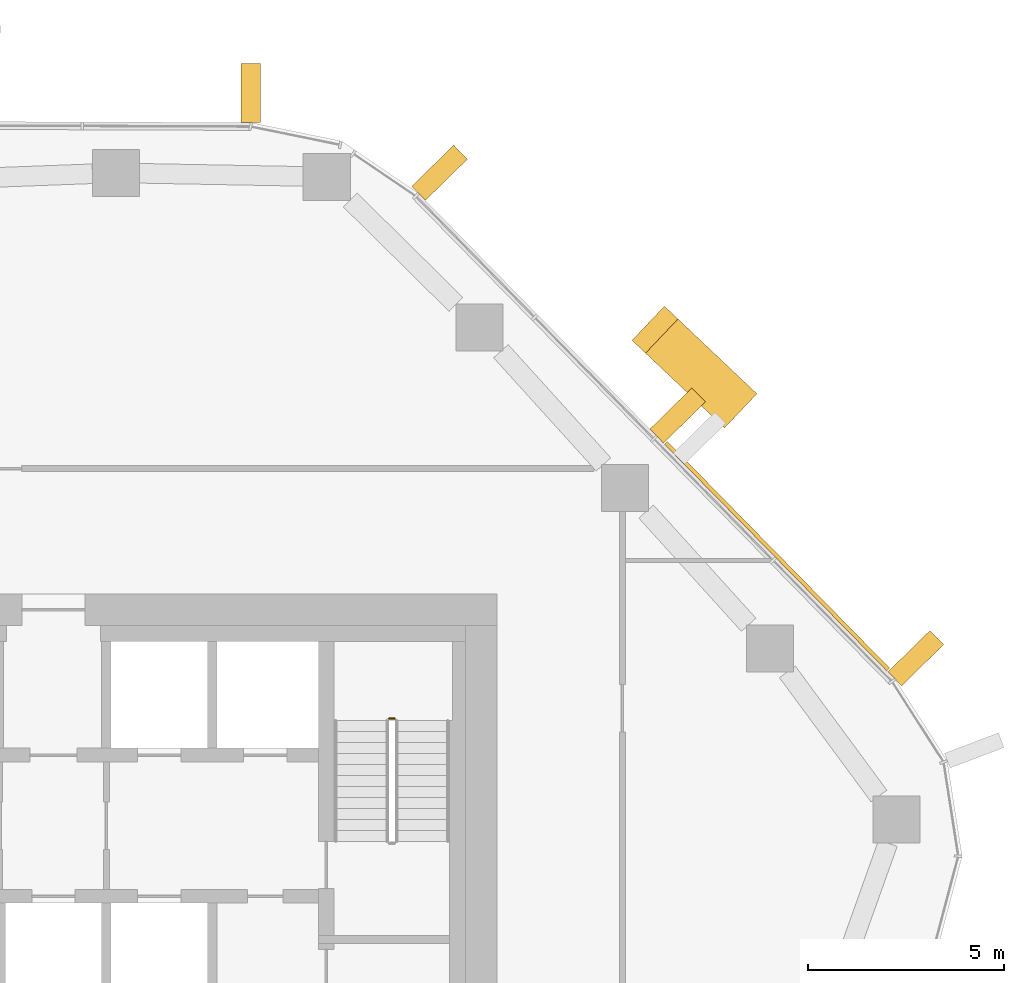
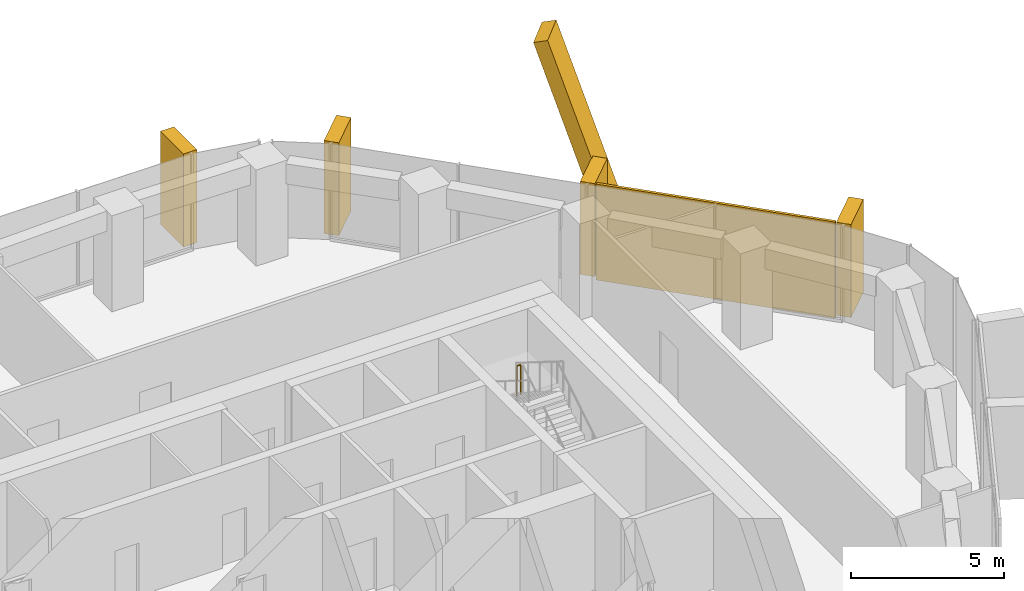
# One storey, part 19 of 19: 6 coverings, 1 railing, 2 elements without a shape of their own.
"""IFC4 building model written with IfcOpenShell, lengths in metres."""

from ifc_helpers import new_model, si_unit, direction, frame, origin, origin_2d, place, context, subcontext, project, spatial, rectangle, circle, extrude, material, layer, layer_set, material_profile, profile_set, type_object, element, aggregate, save


model = new_model("IFC4")

# Units and contexts
model_context = context("Model", 3, precision=1e-05, world=origin(), true_north=direction((0.0, 1.0)))
body_context = subcontext(model_context, "Body", "Model", "MODEL_VIEW")
ifc_project = project(units=[si_unit("LENGTHUNIT", "METRE"), si_unit("AREAUNIT", "SQUARE_METRE"), si_unit("VOLUMEUNIT", "CUBIC_METRE"), si_unit("PLANEANGLEUNIT", "RADIAN"), si_unit("MASSUNIT", "GRAM", prefix="KILO")], contexts=[model_context])

# Site, building, storey
site_placement = place(None, origin())
site = spatial("IfcSite", under=ifc_project, at=site_placement, CompositionType="ELEMENT")
building_placement = place(site_placement, origin())
building = spatial("IfcBuilding", under=site, at=building_placement, Name="Dongbaek Canopy Tower", CompositionType="ELEMENT")
storey_placement = place(building_placement, frame((0.0, 0.0, 207.199951171875)))
storey = spatial("IfcBuildingStorey", under=building, at=storey_placement, Name="L43", CompositionType="ELEMENT", Elevation=207.199951171875)

# Curtain wall, coverings
ifc_material_1 = material(Name="Aluminium 6063-T6 pale anodised", Category="aluminium")
ifc_layer_1 = layer(ifc_material_1, 0.199951171875)
ifc_layer_set_1 = layer_set([ifc_layer_1], Name="CW-1 unitised tower curtain wall")
curtain_wall_type = type_object("IfcCurtainWallType", Name="CW-1 unitised tower curtain wall", PredefinedType="NOTDEFINED", material=ifc_layer_set_1)
curtain_wall_1_placement = place(storey_placement, origin())
curtain_wall_1 = element("IfcCurtainWall", 1, at=curtain_wall_1_placement, inside=storey, type_object=curtain_wall_type, Name="CW-1 curtain wall F0.1", PredefinedType="NOTDEFINED")
ifc_material_2 = material(Name="Aluminium 6063-T6 pale metal fin", Category="aluminium")
ifc_material_profile_1 = material_profile(ifc_material_2, rectangle(XDim=1.199951171875, YDim=0.5, at=origin_2d()), Name="Crease fin CF1 500 x 1200 pale metal")
ifc_profile_set_1 = profile_set([ifc_material_profile_1], Name="Aluminium 6063-T6 pale metal fin")
covering_type_1 = type_object("IfcCoveringType", Name="Crease fin CF1 500 x 1200 pale metal", PredefinedType="CLADDING", material=ifc_profile_set_1)
covering_1_placement = place(storey_placement, frame((20.04248046875, 15.833984375, -0.18994140625), z_axis=(-0.227457353034, 0.215561452154, 0.949629618797), x_axis=(-0.687871672197, -0.725832324018, 0.0)))
covering_1 = element("IfcCovering", 2, at=covering_1_placement, type_object=covering_type_1, Name="Crease fin L43 L45 F0", PredefinedType="CLADDING", context=body_context, shape_type="SweptSolid", body=[
    extrude(rectangle(XDim=1.199951171875, YDim=0.5, at=origin_2d()), origin(), (0.0, 0.0, 1.0), 8.845458984375),
])
ifc_material_3 = material(Name="Perforated aluminium 6063-T6 pale metal screen", Category="aluminium")
ifc_layer_2 = layer(ifc_material_3, 0.10009765625)
ifc_layer_set_2 = layer_set([ifc_layer_2], Name="Facet screen FS1 100 pale metal")
covering_type_2 = type_object("IfcCoveringType", Name="Facet screen FS1 100 pale metal", PredefinedType="CLADDING", material=ifc_layer_set_2)
covering_2_placement = place(storey_placement, frame((21.140380859375, 11.968017578125, 0.0), z_axis=(0.0, 0.0, 1.0), x_axis=(-0.700367549606, 0.713782386627, 0.0)))
covering_2 = element("IfcCovering", 3, at=covering_2_placement, type_object=covering_type_2, Name="Facet screen L43 F0", PredefinedType="CLADDING", context=body_context, shape_type="SweptSolid", body=[
    extrude(rectangle(XDim=8.083740234375, YDim=0.10009765625, at=origin_2d()), origin(), (0.0, 0.0, 1.0), 3.820068359375),
])
ifc_material_4 = material(Name="Aluminium 6063-T6 pale metal fin", Category="aluminium")
ifc_material_profile_2 = material_profile(ifc_material_4, rectangle(XDim=1.5, YDim=0.5, at=origin_2d()), Name="Fin FN1 500 x 1500 pale metal")
ifc_profile_set_2 = profile_set([ifc_material_profile_2], Name="Aluminium 6063-T6 pale metal fin")
covering_type_3 = type_object("IfcCoveringType", Name="Fin FN1 500 x 1500 pale metal", PredefinedType="CLADDING", material=ifc_profile_set_2)
covering_3_placement = place(storey_placement, frame((24.6767578125, 9.369140625, 0.1201171875), z_axis=(0.0, 0.0, 1.0), x_axis=(0.713782398301, 0.700367537709, 0.0)))
covering_3 = element("IfcCovering", 4, at=covering_3_placement, type_object=covering_type_3, Name="Fin F0.1.1", PredefinedType="CLADDING", context=body_context, shape_type="SweptSolid", body=[
    extrude(rectangle(XDim=1.5, YDim=0.5, at=origin_2d()), origin(), (0.0, 0.0, 1.0), 3.699951171875),
])
covering_4_placement = place(storey_placement, frame((18.60888671875, 15.552978515625, 0.1201171875), z_axis=(0.0, 0.0, 1.0), x_axis=(0.713782398301, 0.700367537709, 0.0)))
covering_4 = element("IfcCovering", 5, at=covering_4_placement, type_object=covering_type_3, Name="Fin F0.1.3", PredefinedType="CLADDING", context=body_context, shape_type="SweptSolid", body=[
    extrude(rectangle(XDim=1.5, YDim=0.5, at=origin_2d()), origin(), (0.0, 0.0, 1.0), 3.699951171875),
])
covering_5_placement = place(storey_placement, frame((12.540771484375, 21.7373046875, 0.1201171875), z_axis=(0.0, 0.0, 1.0), x_axis=(0.713782398301, 0.700367537709, 0.0)))
covering_5 = element("IfcCovering", 6, at=covering_5_placement, type_object=covering_type_3, Name="Fin F0.1.5", PredefinedType="CLADDING", context=body_context, shape_type="SweptSolid", body=[
    extrude(rectangle(XDim=1.5, YDim=0.5, at=origin_2d()), origin(), (0.0, 0.0, 1.0), 3.699951171875),
])
aggregate(curtain_wall_1, [covering_3, covering_4, covering_5, covering_1, covering_2])

# Curtain wall, covering
curtain_wall_2_placement = place(storey_placement, origin())
curtain_wall_2 = element("IfcCurtainWall", 7, at=curtain_wall_2_placement, inside=storey, type_object=curtain_wall_type, Name="CW-1 curtain wall F1.1", PredefinedType="NOTDEFINED")
covering_6_placement = place(storey_placement, frame((7.730712890625, 23.766845703125, 0.1201171875), z_axis=(0.0, 0.0, 1.0), x_axis=(0.003675442583, 0.999993245538, 0.0)))
covering_6 = element("IfcCovering", 8, at=covering_6_placement, type_object=covering_type_3, Name="Fin F1.1.1", PredefinedType="CLADDING", context=body_context, shape_type="SweptSolid", body=[
    extrude(rectangle(XDim=1.5, YDim=0.5, at=origin_2d()), origin(), (0.0, 0.0, 1.0), 3.699951171875),
])
aggregate(curtain_wall_2, [covering_6])

# Railing
ifc_material_5 = material(Name="Stainless steel tube and balusters", Category="steel")
railing_type = type_object("IfcRailingType", Name="Stair guard 1200", PredefinedType="GUARDRAIL", material=ifc_material_5)
railing_placement = place(storey_placement, frame((11.39990234375, 7.830078125, 2.10009765625)))
element("IfcRailing", 9, at=railing_placement, inside=storey, type_object=railing_type, Name="L43 ST-A stair guard 2", PredefinedType="GUARDRAIL", context=body_context, shape_type="SweptSolid", body=[
    extrude(circle(Radius=0.02392578125, at=origin_2d()), frame((0.0, 0.0, 1.17578125), z_axis=(-1.0, 0.0, 0.0), x_axis=(0.0, -1.0, 0.0)), (0.0, 0.0, 1.0), 0.14990234375),
    extrude(circle(Radius=0.02099609375, at=origin_2d()), origin(), (0.0, 0.0, 1.0), 1.15185546875),
    extrude(circle(Radius=0.02099609375, at=origin_2d()), frame((-0.14990234375, 0.0, 0.0)), (0.0, 0.0, 1.0), 1.15185546875),
])

save(model, "model.ifc")
